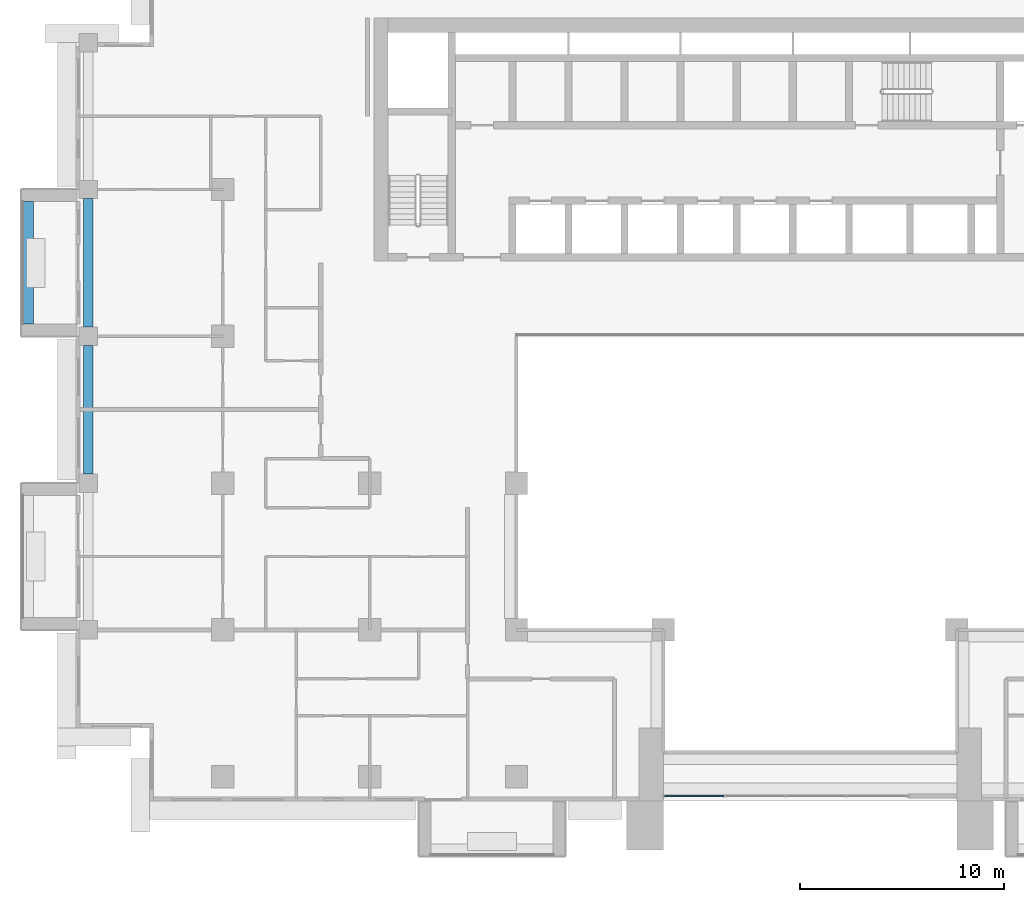
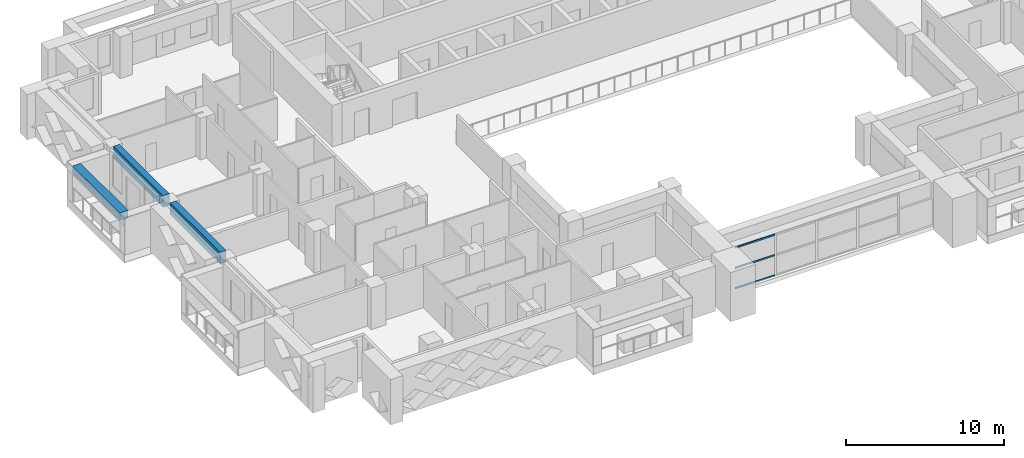
# One storey, part 3 of 20: 3 beams, 3 members, 1 element without a shape of its own.
"""IFC4 building model written with IfcOpenShell, lengths in metres."""

from ifc_helpers import new_model, si_unit, direction, frame, origin, origin_2d, place, context, subcontext, project, spatial, rectangle, extrude, source, transform, mapped, material, layer, layer_set, material_profile, profile_set, type_object, element, aggregate, save


model = new_model("IFC4")

# Units and contexts
model_context = context("Model", 3, precision=1e-05, world=origin(), true_north=direction((0.0, 1.0)))
body_context = subcontext(model_context, "Body", "Model", "MODEL_VIEW")
ifc_project = project(units=[si_unit("LENGTHUNIT", "METRE"), si_unit("AREAUNIT", "SQUARE_METRE"), si_unit("VOLUMEUNIT", "CUBIC_METRE"), si_unit("PLANEANGLEUNIT", "RADIAN"), si_unit("MASSUNIT", "GRAM", prefix="KILO")], contexts=[model_context])

# Site, building, storey
site_placement = place(None, origin())
site = spatial("IfcSite", under=ifc_project, at=site_placement, CompositionType="ELEMENT")
building_placement = place(site_placement, origin())
building = spatial("IfcBuilding", under=site, at=building_placement, Name="Saffron Iwan Residences", CompositionType="ELEMENT")
storey_placement = place(building_placement, frame((0.0, 0.0, 130.5)))
storey = spatial("IfcBuildingStorey", under=building, at=storey_placement, Name="L34", CompositionType="ELEMENT", Elevation=130.5)

# Beams
ifc_material_1 = material(Name="Concrete C50/60", Category="concrete")
ifc_material_profile_1 = material_profile(ifc_material_1, rectangle(XDim=0.449951171875, YDim=0.89990234375, at=origin_2d()), Name="RC 450x900")
ifc_profile_set_1 = profile_set([ifc_material_profile_1], Name="Concrete C50/60")
beam_type_1 = type_object("IfcBeamType", Name="SPANDREL BEAM RC 450x900 C50/60 TOP 3200", PredefinedType="SPANDREL", material=ifc_profile_set_1)
shared_shape_1 = source(origin(), body_context, "Body", "SweptSolid", [
    extrude(rectangle(XDim=0.449951171875, YDim=0.89990234375, at=origin_2d()), origin(), (0.0, 0.0, 1.0), 6.300048828125),
])
beam_1_placement = place(storey_placement, frame((15.0, 55.64990234375, 2.75), z_axis=(0.0, 1.0, 0.0), x_axis=(-1.0, 0.0, 0.0)))
element("IfcBeam", 1, at=beam_1_placement, inside=storey, type_object=beam_type_1, Name="Spandrel beam", PredefinedType="SPANDREL", context=body_context, shape_type="MappedRepresentation", body=[
    mapped(shared_shape_1, transform((0.0, 0.0, 0.0))),
])
shared_shape_2 = source(origin(), body_context, "Body", "SweptSolid", [
    extrude(rectangle(XDim=0.449951171875, YDim=0.89990234375, at=origin_2d()), origin(), (0.0, 0.0, 1.0), 6.2998046875),
])
beam_2_placement = place(storey_placement, frame((15.0, 62.85009765625, 2.75), z_axis=(0.0, 1.0, 0.0), x_axis=(-1.0, 0.0, 0.0)))
element("IfcBeam", 2, at=beam_2_placement, inside=storey, type_object=beam_type_1, Name="Spandrel beam", PredefinedType="SPANDREL", context=body_context, shape_type="MappedRepresentation", body=[
    mapped(shared_shape_2, transform((0.0, 0.0, 0.0))),
])

# Curtain wall, members
ifc_material_2 = material(Name="Clear glass, laminated double glazed", Category="glass")
ifc_layer = layer(ifc_material_2, 0.199951171875)
ifc_layer_set = layer_set([ifc_layer], Name="Clear glass, laminated double glazed")
curtain_wall_type = type_object("IfcCurtainWallType", Name="CW-B IWAN PORTAL", PredefinedType="NOTDEFINED", material=ifc_layer_set)
curtain_wall_placement = place(storey_placement, origin())
curtain_wall = element("IfcCurtainWall", 3, at=curtain_wall_placement, inside=storey, type_object=curtain_wall_type, Name="Iwan portal glazing L34.1", PredefinedType="NOTDEFINED")
ifc_material_3 = material(Name="Aluminium 6063-T6", Category="aluminium")
ifc_material_profile_2 = material_profile(ifc_material_3, rectangle(XDim=0.06005859375, YDim=0.1201171875, at=origin_2d()), Name="CW-B TRANSOM 60 x 120")
ifc_profile_set_2 = profile_set([ifc_material_profile_2], Name="Aluminium 6063-T6")
member_type = type_object("IfcMemberType", Name="CW-B TRANSOM 60 x 120", PredefinedType="USERDEFINED", material=ifc_profile_set_2)
shared_shape_3 = source(origin(), body_context, "Body", "SweptSolid", [
    extrude(rectangle(XDim=0.06005859375, YDim=0.1201171875, at=origin_2d()), origin(), (0.0, 0.0, 1.0), 2.909912109375),
])
member_1_placement = place(storey_placement, frame((43.260009765625, 39.85009765625, 0.030029296875), z_axis=(1.0, 0.0, 0.0), x_axis=(0.0, 1.0, 0.0)))
member_1 = element("IfcMember", 4, at=member_1_placement, type_object=member_type, Name="CW-B transom 1.1", ObjectType="TRANSOM", PredefinedType="USERDEFINED", context=body_context, shape_type="MappedRepresentation", body=[
    mapped(shared_shape_3, transform((0.0, 0.0, 0.0))),
])
member_2_placement = place(storey_placement, frame((43.260009765625, 39.85009765625, 1.60009765625), z_axis=(1.0, 0.0, 0.0), x_axis=(0.0, 1.0, 0.0)))
member_2 = element("IfcMember", 5, at=member_2_placement, type_object=member_type, Name="CW-B transom 1.2", ObjectType="TRANSOM", PredefinedType="USERDEFINED", context=body_context, shape_type="MappedRepresentation", body=[
    mapped(shared_shape_3, transform((0.0, 0.0, 0.0))),
])
member_3_placement = place(storey_placement, frame((43.260009765625, 39.85009765625, 3.169921875), z_axis=(1.0, 0.0, 0.0), x_axis=(0.0, 1.0, 0.0)))
member_3 = element("IfcMember", 6, at=member_3_placement, type_object=member_type, Name="CW-B transom 1.3", ObjectType="TRANSOM", PredefinedType="USERDEFINED", context=body_context, shape_type="MappedRepresentation", body=[
    mapped(shared_shape_3, transform((0.0, 0.0, 0.0))),
])
aggregate(curtain_wall, [member_1, member_2, member_3])

# Beam
ifc_material_4 = material(Name="Concrete C50/60 white painted", Category="concrete")
ifc_material_profile_3 = material_profile(ifc_material_4, rectangle(XDim=0.60009765625, YDim=0.60009765625, at=origin_2d()), Name="BALCONY FASCIA BEAM 600 x 600")
ifc_profile_set_3 = profile_set([ifc_material_profile_3], Name="Concrete C50/60 white painted")
beam_type_2 = type_object("IfcBeamType", Name="BALCONY FASCIA BEAM 600 x 600", PredefinedType="BEAM", material=ifc_profile_set_3)
shared_shape_4 = source(origin(), body_context, "Body", "SweptSolid", [
    extrude(rectangle(XDim=0.60009765625, YDim=0.60009765625, at=origin_2d()), origin(), (0.0, 0.0, 1.0), 6.0),
])
beam_3_placement = place(storey_placement, frame((12.0, 69.0, 2.550048828125), z_axis=(0.0, -1.0, 0.0), x_axis=(1.0, 0.0, 0.0)))
element("IfcBeam", 7, at=beam_3_placement, inside=storey, type_object=beam_type_2, Name="Balcony fascia beam L34 F8-0", PredefinedType="BEAM", context=body_context, shape_type="MappedRepresentation", body=[
    mapped(shared_shape_4, transform((0.0, 0.0, 0.0))),
])

save(model, "model.ifc")
